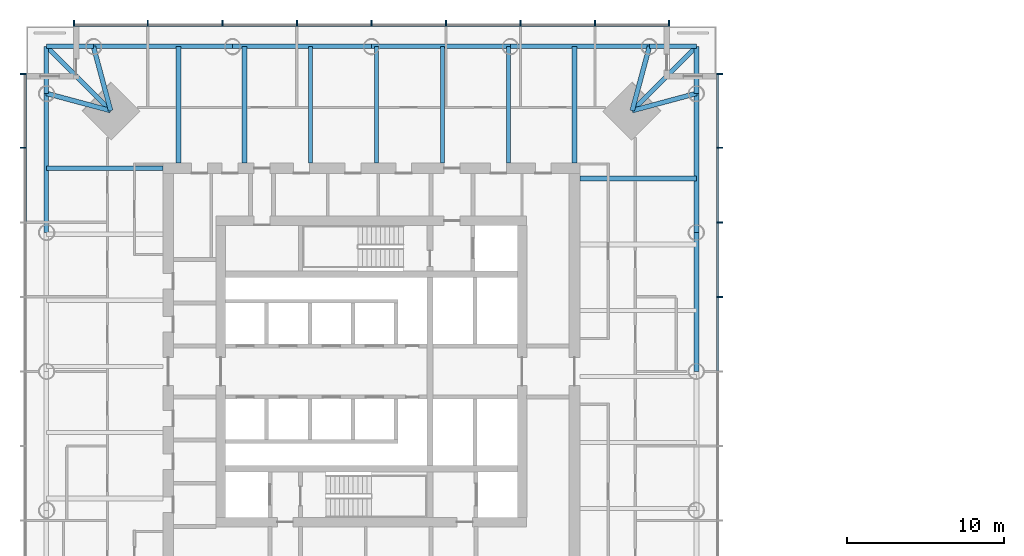
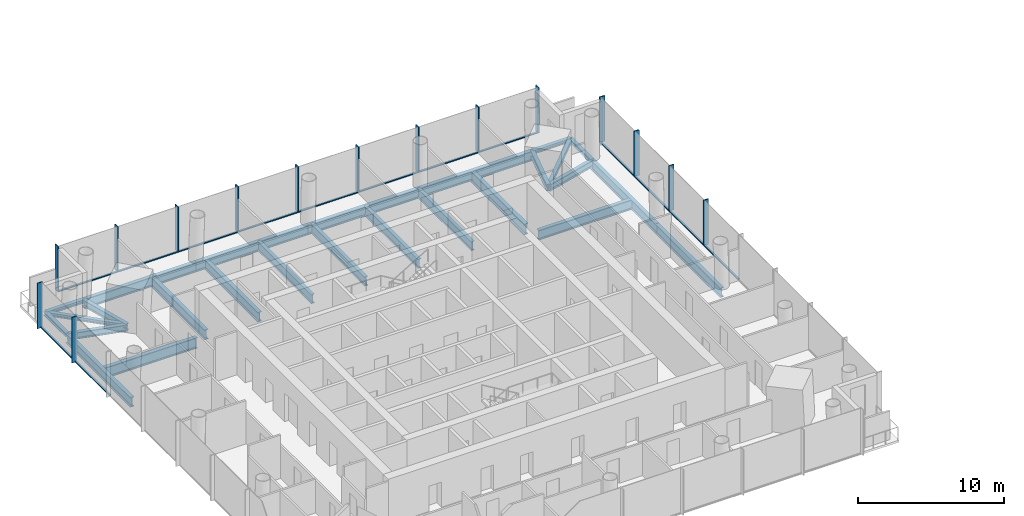
# One storey, part 3 of 18: 29 members, 26 beams, 3 elements without a shape of their own.
"""IFC4 building model written with IfcOpenShell, lengths in metres."""

from ifc_helpers import new_model, si_unit, direction, frame, origin, origin_2d, place, context, subcontext, project, spatial, rectangle, i_section, extrude, material, material_profile, profile_set, type_object, element, aggregate, save


model = new_model("IFC4")

# Units and contexts
model_context = context("Model", 3, precision=1e-05, world=origin(), true_north=direction((0.0, 1.0)))
body_context = subcontext(model_context, "Body", "Model", "MODEL_VIEW")
ifc_project = project(units=[si_unit("LENGTHUNIT", "METRE"), si_unit("AREAUNIT", "SQUARE_METRE"), si_unit("VOLUMEUNIT", "CUBIC_METRE"), si_unit("PLANEANGLEUNIT", "RADIAN"), si_unit("MASSUNIT", "GRAM", prefix="KILO")], contexts=[model_context])

# Site, building, storey
site_placement = place(None, origin())
site = spatial("IfcSite", under=ifc_project, at=site_placement, CompositionType="ELEMENT")
building_placement = place(site_placement, origin())
building = spatial("IfcBuilding", under=site, at=building_placement, Name="Ostroluk Exchange", CompositionType="ELEMENT")
storey_placement = place(building_placement, frame((0.0, 0.0, 123.60009765625)))
storey = spatial("IfcBuildingStorey", under=building, at=storey_placement, Name="L31", CompositionType="ELEMENT", Elevation=123.60009765625)

# Beams
ifc_material_1 = material(Name="Steel S355", Category="steel")
ifc_material_profile_1 = material_profile(ifc_material_1, i_section(OverallWidth=0.300048828125, OverallDepth=0.300048828125, WebThickness=0.010986328125, FlangeThickness=0.01904296875, FilletRadius=0.027099609375, at=origin_2d()), Name="HEB 300")
ifc_profile_set_1 = profile_set([ifc_material_profile_1], Name="Steel S355")
beam_type_1 = type_object("IfcBeamType", Name="Balcony beam HEB 300", PredefinedType="BEAM", material=ifc_profile_set_1)
for number, where, z_axis, x_axis, name in (
    (1, (65.721435546875, 63.721435546875, -0.330078125), (0.0, 1.0, 0.0), (-1.0, 0.0, 0.0), "T1 east balcony beam a"),
    (2, (62.721435546875, 66.721435546875, -0.330078125), (1.0, 0.0, 0.0), (0.0, 1.0, 0.0), "T1 east balcony beam b"),
):
    element("IfcBeam", number, at=place(storey_placement, frame(where, z_axis=z_axis, x_axis=x_axis)), inside=storey, type_object=beam_type_1, Name=name, PredefinedType="BEAM", context=body_context, shape_type="SweptSolid", body=[
        extrude(i_section(OverallWidth=0.300048828125, OverallDepth=0.300048828125, WebThickness=0.010986328125, FlangeThickness=0.01904296875, FilletRadius=0.027099609375, at=origin_2d()), origin(), (0.0, 0.0, 1.0), 3.0),
    ])
beam_1_placement = place(storey_placement, frame((61.621337890625, 62.621337890625, -0.330078125), z_axis=(0.707106781187, 0.707106781187, 0.0), x_axis=(-0.707106781187, 0.707106781187, 0.0)))
element("IfcBeam", 3, at=beam_1_placement, inside=storey, type_object=beam_type_1, Name="T1 east balcony beam c", PredefinedType="BEAM", context=body_context, shape_type="SweptSolid", body=[
    extrude(i_section(OverallWidth=0.300048828125, OverallDepth=0.300048828125, WebThickness=0.010986328125, FlangeThickness=0.01904296875, FilletRadius=0.027099609375, at=origin_2d()), origin(), (0.0, 0.0, 1.0), 5.79833984375),
])
for number, where, z_axis, x_axis, name in (
    (4, (27.278564453125, 66.721435546875, -0.330078125), (-1.0, 0.0, 0.0), (0.0, -1.0, 0.0), "T1 north balcony beam a"),
    (5, (24.278564453125, 63.721435546875, -0.330078125), (0.0, 1.0, 0.0), (-1.0, 0.0, 0.0), "T1 north balcony beam b"),
):
    element("IfcBeam", number, at=place(storey_placement, frame(where, z_axis=z_axis, x_axis=x_axis)), inside=storey, type_object=beam_type_1, Name=name, PredefinedType="BEAM", context=body_context, shape_type="SweptSolid", body=[
        extrude(i_section(OverallWidth=0.300048828125, OverallDepth=0.300048828125, WebThickness=0.010986328125, FlangeThickness=0.01904296875, FilletRadius=0.027099609375, at=origin_2d()), origin(), (0.0, 0.0, 1.0), 3.0),
    ])
beam_2_placement = place(storey_placement, frame((28.378662109375, 62.621337890625, -0.330078125), z_axis=(-0.707106781187, 0.707106781187, 0.0), x_axis=(-0.707106781187, -0.707106781187, 0.0)))
element("IfcBeam", 6, at=beam_2_placement, inside=storey, type_object=beam_type_1, Name="T1 north balcony beam c", PredefinedType="BEAM", context=body_context, shape_type="SweptSolid", body=[
    extrude(i_section(OverallWidth=0.300048828125, OverallDepth=0.300048828125, WebThickness=0.010986328125, FlangeThickness=0.01904296875, FilletRadius=0.027099609375, at=origin_2d()), origin(), (0.0, 0.0, 1.0), 5.79833984375),
])
ifc_material_2 = material(Name="Steel S355", Category="steel")
ifc_material_profile_2 = material_profile(ifc_material_2, i_section(OverallWidth=0.300048828125, OverallDepth=0.550048828125, WebThickness=0.014892578125, FlangeThickness=0.029052734375, FilletRadius=0.027099609375, at=origin_2d()), Name="HEB 550")
ifc_profile_set_2 = profile_set([ifc_material_profile_2], Name="Steel S355")
beam_type_2 = type_object("IfcBeamType", Name="Corner edge beam HEB 550", PredefinedType="SPANDREL", material=ifc_profile_set_2)
for number, where, z_axis, x_axis, name in (
    (7, (61.621337890625, 62.621337890625, -0.455078125), (0.965838624319, 0.259144268261, 0.0), (-0.259144268261, 0.965838624319, 0.0), "T1 east corner edge beam a"),
    (8, (61.621337890625, 62.621337890625, -0.455078125), (0.259144268261, 0.965838624319, 0.0), (-0.965838624319, 0.259144268261, 0.0), "T1 east corner edge beam b"),
    (9, (28.378662109375, 62.621337890625, -0.455078125), (-0.259144268261, 0.965838624319, 0.0), (-0.965838624319, -0.259144268261, 0.0), "T1 north corner edge beam a"),
    (10, (28.378662109375, 62.621337890625, -0.455078125), (-0.965838624319, 0.259144268261, 0.0), (-0.259144268261, -0.965838624319, 0.0), "T1 north corner edge beam b"),
):
    element("IfcBeam", number, at=place(storey_placement, frame(where, z_axis=z_axis, x_axis=x_axis)), inside=storey, type_object=beam_type_2, Name=name, PredefinedType="SPANDREL", context=body_context, shape_type="SweptSolid", body=[
        extrude(i_section(OverallWidth=0.300048828125, OverallDepth=0.550048828125, WebThickness=0.014892578125, FlangeThickness=0.029052734375, FilletRadius=0.027099609375, at=origin_2d()), origin(), (0.0, 0.0, 1.0), 4.2451171875),
    ])
ifc_material_3 = material(Name="Steel S355", Category="steel")
ifc_material_profile_3 = material_profile(ifc_material_3, i_section(OverallWidth=0.302978515625, OverallDepth=0.81396484375, WebThickness=0.02099609375, FlangeThickness=0.0400390625, FilletRadius=0.030029296875, at=origin_2d()), Name="HEM 800")
ifc_profile_set_3 = profile_set([ifc_material_profile_3], Name="Steel S355")
beam_type_3 = type_object("IfcBeamType", Name="Floor beam HEM 800", PredefinedType="BEAM", material=ifc_profile_set_3)
for number, where, z_axis, x_axis, name in (
    (11, (58.300048828125, 58.303466796875, -0.587158203125), (1.0, 0.0, 0.0), (0.0, 1.0, 0.0), "T1 east floor beam 6"),
    (12, (36.9052734375, 59.300048828125, -0.587158203125), (0.0, 1.0, 0.0), (-1.0, 0.0, 0.0), "T1 north floor beam 5"),
    (13, (32.696533203125, 59.300048828125, -0.587158203125), (0.0, 1.0, 0.0), (-1.0, 0.0, 0.0), "T1 north floor beam 6"),
):
    element("IfcBeam", number, at=place(storey_placement, frame(where, z_axis=z_axis, x_axis=x_axis)), inside=storey, type_object=beam_type_3, Name=name, PredefinedType="BEAM", context=body_context, shape_type="SweptSolid", body=[
        extrude(i_section(OverallWidth=0.302978515625, OverallDepth=0.81396484375, WebThickness=0.02099609375, FlangeThickness=0.0400390625, FilletRadius=0.030029296875, at=origin_2d()), origin(), (0.0, 0.0, 1.0), 7.42138671875),
    ])
ifc_material_4 = material(Name="Steel S355", Category="steel")
ifc_material_profile_4 = material_profile(ifc_material_4, i_section(OverallWidth=0.26708984375, OverallDepth=0.761962890625, WebThickness=0.014404296875, FlangeThickness=0.021484375, FilletRadius=0.01708984375, at=origin_2d()), Name="IPE 750x173")
ifc_profile_set_4 = profile_set([ifc_material_profile_4], Name="Steel S355")
beam_type_4 = type_object("IfcBeamType", Name="Floor beam IPE 750x173", PredefinedType="BEAM", material=ifc_profile_set_4)
for number, where, z_axis, x_axis, name in (
    (14, (53.740966796875, 59.300048828125, -0.56103515625), (0.0, 1.0, 0.0), (-1.0, 0.0, 0.0), "T1 north floor beam 1"),
    (15, (49.5322265625, 59.300048828125, -0.56103515625), (0.0, 1.0, 0.0), (-1.0, 0.0, 0.0), "T1 north floor beam 2"),
    (16, (45.3232421875, 59.300048828125, -0.56103515625), (0.0, 1.0, 0.0), (-1.0, 0.0, 0.0), "T1 north floor beam 3"),
    (17, (41.1142578125, 59.300048828125, -0.56103515625), (0.0, 1.0, 0.0), (-1.0, 0.0, 0.0), "T1 north floor beam 4"),
):
    element("IfcBeam", number, at=place(storey_placement, frame(where, z_axis=z_axis, x_axis=x_axis)), inside=storey, type_object=beam_type_4, Name=name, PredefinedType="BEAM", context=body_context, shape_type="SweptSolid", body=[
        extrude(i_section(OverallWidth=0.26708984375, OverallDepth=0.761962890625, WebThickness=0.014404296875, FlangeThickness=0.021484375, FilletRadius=0.01708984375, at=origin_2d()), origin(), (0.0, 0.0, 1.0), 7.42138671875),
    ])
ifc_material_5 = material(Name="Steel S355", Category="steel")
ifc_material_profile_5 = material_profile(ifc_material_5, i_section(OverallWidth=0.300048828125, OverallDepth=0.89990234375, WebThickness=0.0185546875, FlangeThickness=0.034912109375, FilletRadius=0.030029296875, at=origin_2d()), Name="HEB 900")
ifc_profile_set_5 = profile_set([ifc_material_profile_5], Name="Steel S355")
beam_type_5 = type_object("IfcBeamType", Name="Girder HEB 900", PredefinedType="BEAM", material=ifc_profile_set_5)
for number, where, z_axis, x_axis, name in (
    (18, (57.949951171875, 59.300048828125, -0.630126953125), (0.0, 1.0, 0.0), (-1.0, 0.0, 0.0), "T1 east girder"),
    (19, (31.699951171875, 58.949951171875, -0.630126953125), (-1.0, 0.0, 0.0), (0.0, -1.0, 0.0), "T1 north girder"),
):
    element("IfcBeam", number, at=place(storey_placement, frame(where, z_axis=z_axis, x_axis=x_axis)), inside=storey, type_object=beam_type_5, Name=name, PredefinedType="BEAM", context=body_context, shape_type="SweptSolid", body=[
        extrude(i_section(OverallWidth=0.300048828125, OverallDepth=0.89990234375, WebThickness=0.0185546875, FlangeThickness=0.034912109375, FilletRadius=0.030029296875, at=origin_2d()), origin(), (0.0, 0.0, 1.0), 7.42138671875),
    ])
ifc_material_6 = material(Name="Steel S355", Category="steel")
ifc_material_profile_6 = material_profile(ifc_material_6, i_section(OverallWidth=0.300048828125, OverallDepth=0.800048828125, WebThickness=0.017578125, FlangeThickness=0.032958984375, FilletRadius=0.030029296875, at=origin_2d()), Name="HEB 800")
ifc_profile_set_6 = profile_set([ifc_material_profile_6], Name="Steel S355")
beam_type_6 = type_object("IfcBeamType", Name="Moment-connected edge beam HEB 800", PredefinedType="SPANDREL", material=ifc_profile_set_6)
beam_3_placement = place(storey_placement, frame((65.721435546875, 46.0, -0.580078125), z_axis=(0.0, 1.0, 0.0), x_axis=(-1.0, 0.0, 0.0)))
element("IfcBeam", 20, at=beam_3_placement, inside=storey, type_object=beam_type_6, Name="T1 east edge beam 3", PredefinedType="SPANDREL", context=body_context, shape_type="SweptSolid", body=[
    extrude(i_section(OverallWidth=0.300048828125, OverallDepth=0.800048828125, WebThickness=0.017578125, FlangeThickness=0.032958984375, FilletRadius=0.030029296875, at=origin_2d()), origin(), (0.0, 0.0, 1.0), 8.860595703125),
])
for number, where, z_axis, x_axis, name in (
    (21, (65.721435546875, 54.860595703125, -0.580078125), (0.0, 1.0, 0.0), (-1.0, 0.0, 0.0), "T1 east edge beam 4"),
    (22, (62.721435546875, 66.721435546875, -0.580078125), (-1.0, 0.0, 0.0), (0.0, -1.0, 0.0), "T1 north edge beam 1"),
):
    element("IfcBeam", number, at=place(storey_placement, frame(where, z_axis=z_axis, x_axis=x_axis)), inside=storey, type_object=beam_type_6, Name=name, PredefinedType="SPANDREL", context=body_context, shape_type="SweptSolid", body=[
        extrude(i_section(OverallWidth=0.300048828125, OverallDepth=0.800048828125, WebThickness=0.017578125, FlangeThickness=0.032958984375, FilletRadius=0.030029296875, at=origin_2d()), origin(), (0.0, 0.0, 1.0), 8.86083984375),
    ])
for number, where, z_axis, x_axis, name in (
    (23, (53.860595703125, 66.721435546875, -0.580078125), (-1.0, 0.0, 0.0), (0.0, -1.0, 0.0), "T1 north edge beam 2"),
    (24, (45.0, 66.721435546875, -0.580078125), (-1.0, 0.0, 0.0), (0.0, -1.0, 0.0), "T1 north edge beam 3"),
):
    element("IfcBeam", number, at=place(storey_placement, frame(where, z_axis=z_axis, x_axis=x_axis)), inside=storey, type_object=beam_type_6, Name=name, PredefinedType="SPANDREL", context=body_context, shape_type="SweptSolid", body=[
        extrude(i_section(OverallWidth=0.300048828125, OverallDepth=0.800048828125, WebThickness=0.017578125, FlangeThickness=0.032958984375, FilletRadius=0.030029296875, at=origin_2d()), origin(), (0.0, 0.0, 1.0), 8.860595703125),
    ])
for number, where, z_axis, x_axis, name in (
    (25, (36.139404296875, 66.721435546875, -0.580078125), (-1.0, 0.0, 0.0), (0.0, -1.0, 0.0), "T1 north edge beam 4"),
    (26, (24.278564453125, 63.721435546875, -0.580078125), (0.0, -1.0, 0.0), (1.0, 0.0, 0.0), "T1 west edge beam 1"),
):
    element("IfcBeam", number, at=place(storey_placement, frame(where, z_axis=z_axis, x_axis=x_axis)), inside=storey, type_object=beam_type_6, Name=name, PredefinedType="SPANDREL", context=body_context, shape_type="SweptSolid", body=[
        extrude(i_section(OverallWidth=0.300048828125, OverallDepth=0.800048828125, WebThickness=0.017578125, FlangeThickness=0.032958984375, FilletRadius=0.030029296875, at=origin_2d()), origin(), (0.0, 0.0, 1.0), 8.86083984375),
    ])

# Curtain wall, members
ifc_material_7 = material(Name="Laminated clear glass", Category="glass")
curtain_wall_type = type_object("IfcCurtainWallType", Name="Office tower facade", PredefinedType="USERDEFINED", material=ifc_material_7)
curtain_wall_1_placement = place(storey_placement, origin())
curtain_wall_1 = element("IfcCurtainWall", 27, at=curtain_wall_1_placement, inside=storey, type_object=curtain_wall_type, Name="Office tower east facade L31", ObjectType="UNITISED CURTAIN WALL", PredefinedType="USERDEFINED")
ifc_material_8 = material(Name="Aluminium mullion", Category="aluminium")
ifc_material_profile_7 = material_profile(ifc_material_8, rectangle(XDim=0.14990234375, YDim=0.080078125, at=origin_2d()), Name="Sill transom 80 x 150")
ifc_profile_set_7 = profile_set([ifc_material_profile_7], Name="Aluminium mullion")
member_type_1 = type_object("IfcMemberType", Name="Sill transom 80 x 150", PredefinedType="USERDEFINED", material=ifc_profile_set_7)
member_1_placement = place(storey_placement, frame((67.074951171875, 46.0400390625, 0.039794921875), z_axis=(0.0, 1.0, 0.0), x_axis=(-1.0, 0.0, 0.0)))
member_1 = element("IfcMember", 28, at=member_1_placement, type_object=member_type_1, Name="CW-O1 transom 5.1", ObjectType="TRANSOM", PredefinedType="USERDEFINED", context=body_context, shape_type="SweptSolid", body=[
    extrude(rectangle(XDim=0.14990234375, YDim=0.080078125, at=origin_2d()), origin(), (0.0, 0.0, 1.0), 4.669921875),
])
member_2_placement = place(storey_placement, frame((67.074951171875, 50.7900390625, 0.039794921875), z_axis=(0.0, 1.0, 0.0), x_axis=(-1.0, 0.0, 0.0)))
member_2 = element("IfcMember", 29, at=member_2_placement, type_object=member_type_1, Name="CW-O1 transom 6.1", ObjectType="TRANSOM", PredefinedType="USERDEFINED", context=body_context, shape_type="SweptSolid", body=[
    extrude(rectangle(XDim=0.14990234375, YDim=0.080078125, at=origin_2d()), origin(), (0.0, 0.0, 1.0), 4.669921875),
])
member_3_placement = place(storey_placement, frame((67.074951171875, 55.5400390625, 0.039794921875), z_axis=(0.0, 1.0, 0.0), x_axis=(-1.0, 0.0, 0.0)))
member_3 = element("IfcMember", 30, at=member_3_placement, type_object=member_type_1, Name="CW-O1 transom 7.1", ObjectType="TRANSOM", PredefinedType="USERDEFINED", context=body_context, shape_type="SweptSolid", body=[
    extrude(rectangle(XDim=0.14990234375, YDim=0.080078125, at=origin_2d()), origin(), (0.0, 0.0, 1.0), 4.669921875),
])
member_4_placement = place(storey_placement, frame((67.074951171875, 60.2900390625, 0.039794921875), z_axis=(0.0, 1.0, 0.0), x_axis=(-1.0, 0.0, 0.0)))
member_4 = element("IfcMember", 31, at=member_4_placement, type_object=member_type_1, Name="CW-O1 transom 8.1", ObjectType="TRANSOM", PredefinedType="USERDEFINED", context=body_context, shape_type="SweptSolid", body=[
    extrude(rectangle(XDim=0.14990234375, YDim=0.080078125, at=origin_2d()), origin(), (0.0, 0.0, 1.0), 4.6298828125),
])

curtain_wall_2_placement = place(storey_placement, origin())
curtain_wall_2 = element("IfcCurtainWall", 32, at=curtain_wall_2_placement, inside=storey, type_object=curtain_wall_type, Name="Office tower north facade L31", ObjectType="UNITISED CURTAIN WALL", PredefinedType="USERDEFINED")
member_5_placement = place(storey_placement, frame((63.919921875, 68.074951171875, 0.039794921875), z_axis=(-1.0, 0.0, 0.0), x_axis=(0.0, -1.0, 0.0)))
member_5 = element("IfcMember", 33, at=member_5_placement, type_object=member_type_1, Name="CW-O1 transom 1.1", ObjectType="TRANSOM", PredefinedType="USERDEFINED", context=body_context, shape_type="SweptSolid", body=[
    extrude(rectangle(XDim=0.14990234375, YDim=0.080078125, at=origin_2d()), origin(), (0.0, 0.0, 1.0), 4.6298828125),
])
member_6_placement = place(storey_placement, frame((59.2099609375, 68.074951171875, 0.039794921875), z_axis=(-1.0, 0.0, 0.0), x_axis=(0.0, -1.0, 0.0)))
member_6 = element("IfcMember", 34, at=member_6_placement, type_object=member_type_1, Name="CW-O1 transom 2.1", ObjectType="TRANSOM", PredefinedType="USERDEFINED", context=body_context, shape_type="SweptSolid", body=[
    extrude(rectangle(XDim=0.14990234375, YDim=0.080078125, at=origin_2d()), origin(), (0.0, 0.0, 1.0), 4.669921875),
])
member_7_placement = place(storey_placement, frame((54.4599609375, 68.074951171875, 0.039794921875), z_axis=(-1.0, 0.0, 0.0), x_axis=(0.0, -1.0, 0.0)))
member_7 = element("IfcMember", 35, at=member_7_placement, type_object=member_type_1, Name="CW-O1 transom 3.1", ObjectType="TRANSOM", PredefinedType="USERDEFINED", context=body_context, shape_type="SweptSolid", body=[
    extrude(rectangle(XDim=0.14990234375, YDim=0.080078125, at=origin_2d()), origin(), (0.0, 0.0, 1.0), 4.669921875),
])
member_8_placement = place(storey_placement, frame((49.7099609375, 68.074951171875, 0.039794921875), z_axis=(-1.0, 0.0, 0.0), x_axis=(0.0, -1.0, 0.0)))
member_8 = element("IfcMember", 36, at=member_8_placement, type_object=member_type_1, Name="CW-O1 transom 4.1", ObjectType="TRANSOM", PredefinedType="USERDEFINED", context=body_context, shape_type="SweptSolid", body=[
    extrude(rectangle(XDim=0.14990234375, YDim=0.080078125, at=origin_2d()), origin(), (0.0, 0.0, 1.0), 4.669921875),
])
member_9_placement = place(storey_placement, frame((44.9599609375, 68.074951171875, 0.039794921875), z_axis=(-1.0, 0.0, 0.0), x_axis=(0.0, -1.0, 0.0)))
member_9 = element("IfcMember", 37, at=member_9_placement, type_object=member_type_1, Name="CW-O1 transom 5.1", ObjectType="TRANSOM", PredefinedType="USERDEFINED", context=body_context, shape_type="SweptSolid", body=[
    extrude(rectangle(XDim=0.14990234375, YDim=0.080078125, at=origin_2d()), origin(), (0.0, 0.0, 1.0), 4.669921875),
])
member_10_placement = place(storey_placement, frame((40.2099609375, 68.074951171875, 0.039794921875), z_axis=(-1.0, 0.0, 0.0), x_axis=(0.0, -1.0, 0.0)))
member_10 = element("IfcMember", 38, at=member_10_placement, type_object=member_type_1, Name="CW-O1 transom 6.1", ObjectType="TRANSOM", PredefinedType="USERDEFINED", context=body_context, shape_type="SweptSolid", body=[
    extrude(rectangle(XDim=0.14990234375, YDim=0.080078125, at=origin_2d()), origin(), (0.0, 0.0, 1.0), 4.669921875),
])
member_11_placement = place(storey_placement, frame((35.4599609375, 68.074951171875, 0.039794921875), z_axis=(-1.0, 0.0, 0.0), x_axis=(0.0, -1.0, 0.0)))
member_11 = element("IfcMember", 39, at=member_11_placement, type_object=member_type_1, Name="CW-O1 transom 7.1", ObjectType="TRANSOM", PredefinedType="USERDEFINED", context=body_context, shape_type="SweptSolid", body=[
    extrude(rectangle(XDim=0.14990234375, YDim=0.080078125, at=origin_2d()), origin(), (0.0, 0.0, 1.0), 4.669921875),
])
member_12_placement = place(storey_placement, frame((30.7099609375, 68.074951171875, 0.039794921875), z_axis=(-1.0, 0.0, 0.0), x_axis=(0.0, -1.0, 0.0)))
member_12 = element("IfcMember", 40, at=member_12_placement, type_object=member_type_1, Name="CW-O1 transom 8.1", ObjectType="TRANSOM", PredefinedType="USERDEFINED", context=body_context, shape_type="SweptSolid", body=[
    extrude(rectangle(XDim=0.14990234375, YDim=0.080078125, at=origin_2d()), origin(), (0.0, 0.0, 1.0), 4.6298828125),
])

curtain_wall_3_placement = place(storey_placement, origin())
curtain_wall_3 = element("IfcCurtainWall", 41, at=curtain_wall_3_placement, inside=storey, type_object=curtain_wall_type, Name="Office tower west facade L31", ObjectType="UNITISED CURTAIN WALL", PredefinedType="USERDEFINED")
member_13_placement = place(storey_placement, frame((22.925048828125, 64.919921875, 0.039794921875), z_axis=(0.0, -1.0, 0.0), x_axis=(1.0, 0.0, 0.0)))
member_13 = element("IfcMember", 42, at=member_13_placement, type_object=member_type_1, Name="CW-O1 transom 1.1", ObjectType="TRANSOM", PredefinedType="USERDEFINED", context=body_context, shape_type="SweptSolid", body=[
    extrude(rectangle(XDim=0.14990234375, YDim=0.080078125, at=origin_2d()), origin(), (0.0, 0.0, 1.0), 4.6298828125),
])
member_14_placement = place(storey_placement, frame((22.925048828125, 60.2099609375, 0.039794921875), z_axis=(0.0, -1.0, 0.0), x_axis=(1.0, 0.0, 0.0)))
member_14 = element("IfcMember", 43, at=member_14_placement, type_object=member_type_1, Name="CW-O1 transom 2.1", ObjectType="TRANSOM", PredefinedType="USERDEFINED", context=body_context, shape_type="SweptSolid", body=[
    extrude(rectangle(XDim=0.14990234375, YDim=0.080078125, at=origin_2d()), origin(), (0.0, 0.0, 1.0), 4.669921875),
])

# Member
ifc_material_9 = material(Name="Aluminium mullion with limestone facing", Category="masonry")
ifc_material_profile_8 = material_profile(ifc_material_9, rectangle(XDim=0.39990234375, YDim=0.080078125, at=origin_2d()), Name="Tracery mullion 80 x 400")
ifc_profile_set_8 = profile_set([ifc_material_profile_8], Name="Aluminium mullion with limestone facing")
member_type_2 = type_object("IfcMemberType", Name="Tracery mullion 80 x 400", PredefinedType="MULLION", material=ifc_profile_set_8)
member_15_placement = place(storey_placement, frame((67.199951171875, 50.75, 0.0), z_axis=(0.0, 0.0, 1.0), x_axis=(-1.0, 0.0, 0.0)))
member_15 = element("IfcMember", 44, at=member_15_placement, type_object=member_type_2, Name="CW-O1 mullion 6", PredefinedType="MULLION", context=body_context, shape_type="SweptSolid", body=[
    extrude(rectangle(XDim=0.39990234375, YDim=0.080078125, at=origin_2d()), origin(), (0.0, 0.0, 1.0), 3.7998046875),
])

member_16_placement = place(storey_placement, frame((67.199951171875, 55.5, 0.0), z_axis=(0.0, 0.0, 1.0), x_axis=(-1.0, 0.0, 0.0)))
member_16 = element("IfcMember", 45, at=member_16_placement, type_object=member_type_2, Name="CW-O1 mullion 7", PredefinedType="MULLION", context=body_context, shape_type="SweptSolid", body=[
    extrude(rectangle(XDim=0.39990234375, YDim=0.080078125, at=origin_2d()), origin(), (0.0, 0.0, 1.0), 3.7998046875),
])

member_17_placement = place(storey_placement, frame((67.199951171875, 60.25, 0.0), z_axis=(0.0, 0.0, 1.0), x_axis=(-1.0, 0.0, 0.0)))
member_17 = element("IfcMember", 46, at=member_17_placement, type_object=member_type_2, Name="CW-O1 mullion 8", PredefinedType="MULLION", context=body_context, shape_type="SweptSolid", body=[
    extrude(rectangle(XDim=0.39990234375, YDim=0.080078125, at=origin_2d()), origin(), (0.0, 0.0, 1.0), 3.7998046875),
])

member_18_placement = place(storey_placement, frame((67.199951171875, 64.9599609375, 0.0), z_axis=(0.0, 0.0, 1.0), x_axis=(-1.0, 0.0, 0.0)))
member_18 = element("IfcMember", 47, at=member_18_placement, type_object=member_type_2, Name="CW-O1 mullion 9", PredefinedType="MULLION", context=body_context, shape_type="SweptSolid", body=[
    extrude(rectangle(XDim=0.39990234375, YDim=0.080078125, at=origin_2d()), origin(), (0.0, 0.0, 1.0), 3.7998046875),
])

aggregate(curtain_wall_1, [member_15, member_16, member_17, member_18, member_1, member_2, member_3, member_4])

member_19_placement = place(storey_placement, frame((63.9599609375, 68.199951171875, 0.0), z_axis=(0.0, 0.0, 1.0), x_axis=(0.0, -1.0, 0.0)))
member_19 = element("IfcMember", 48, at=member_19_placement, type_object=member_type_2, Name="CW-O1 mullion 1", PredefinedType="MULLION", context=body_context, shape_type="SweptSolid", body=[
    extrude(rectangle(XDim=0.39990234375, YDim=0.080078125, at=origin_2d()), origin(), (0.0, 0.0, 1.0), 3.7998046875),
])

member_20_placement = place(storey_placement, frame((59.25, 68.199951171875, 0.0), z_axis=(0.0, 0.0, 1.0), x_axis=(0.0, -1.0, 0.0)))
member_20 = element("IfcMember", 49, at=member_20_placement, type_object=member_type_2, Name="CW-O1 mullion 2", PredefinedType="MULLION", context=body_context, shape_type="SweptSolid", body=[
    extrude(rectangle(XDim=0.39990234375, YDim=0.080078125, at=origin_2d()), origin(), (0.0, 0.0, 1.0), 3.7998046875),
])

member_21_placement = place(storey_placement, frame((54.5, 68.199951171875, 0.0), z_axis=(0.0, 0.0, 1.0), x_axis=(0.0, -1.0, 0.0)))
member_21 = element("IfcMember", 50, at=member_21_placement, type_object=member_type_2, Name="CW-O1 mullion 3", PredefinedType="MULLION", context=body_context, shape_type="SweptSolid", body=[
    extrude(rectangle(XDim=0.39990234375, YDim=0.080078125, at=origin_2d()), origin(), (0.0, 0.0, 1.0), 3.7998046875),
])

member_22_placement = place(storey_placement, frame((49.75, 68.199951171875, 0.0), z_axis=(0.0, 0.0, 1.0), x_axis=(0.0, -1.0, 0.0)))
member_22 = element("IfcMember", 51, at=member_22_placement, type_object=member_type_2, Name="CW-O1 mullion 4", PredefinedType="MULLION", context=body_context, shape_type="SweptSolid", body=[
    extrude(rectangle(XDim=0.39990234375, YDim=0.080078125, at=origin_2d()), origin(), (0.0, 0.0, 1.0), 3.7998046875),
])

member_23_placement = place(storey_placement, frame((45.0, 68.199951171875, 0.0), z_axis=(0.0, 0.0, 1.0), x_axis=(0.0, -1.0, 0.0)))
member_23 = element("IfcMember", 52, at=member_23_placement, type_object=member_type_2, Name="CW-O1 mullion 5", PredefinedType="MULLION", context=body_context, shape_type="SweptSolid", body=[
    extrude(rectangle(XDim=0.39990234375, YDim=0.080078125, at=origin_2d()), origin(), (0.0, 0.0, 1.0), 3.7998046875),
])

member_24_placement = place(storey_placement, frame((40.25, 68.199951171875, 0.0), z_axis=(0.0, 0.0, 1.0), x_axis=(0.0, -1.0, 0.0)))
member_24 = element("IfcMember", 53, at=member_24_placement, type_object=member_type_2, Name="CW-O1 mullion 6", PredefinedType="MULLION", context=body_context, shape_type="SweptSolid", body=[
    extrude(rectangle(XDim=0.39990234375, YDim=0.080078125, at=origin_2d()), origin(), (0.0, 0.0, 1.0), 3.7998046875),
])

member_25_placement = place(storey_placement, frame((35.5, 68.199951171875, 0.0), z_axis=(0.0, 0.0, 1.0), x_axis=(0.0, -1.0, 0.0)))
member_25 = element("IfcMember", 54, at=member_25_placement, type_object=member_type_2, Name="CW-O1 mullion 7", PredefinedType="MULLION", context=body_context, shape_type="SweptSolid", body=[
    extrude(rectangle(XDim=0.39990234375, YDim=0.080078125, at=origin_2d()), origin(), (0.0, 0.0, 1.0), 3.7998046875),
])

member_26_placement = place(storey_placement, frame((30.75, 68.199951171875, 0.0), z_axis=(0.0, 0.0, 1.0), x_axis=(0.0, -1.0, 0.0)))
member_26 = element("IfcMember", 55, at=member_26_placement, type_object=member_type_2, Name="CW-O1 mullion 8", PredefinedType="MULLION", context=body_context, shape_type="SweptSolid", body=[
    extrude(rectangle(XDim=0.39990234375, YDim=0.080078125, at=origin_2d()), origin(), (0.0, 0.0, 1.0), 3.7998046875),
])

member_27_placement = place(storey_placement, frame((26.0400390625, 68.199951171875, 0.0), z_axis=(0.0, 0.0, 1.0), x_axis=(0.0, -1.0, 0.0)))
member_27 = element("IfcMember", 56, at=member_27_placement, type_object=member_type_2, Name="CW-O1 mullion 9", PredefinedType="MULLION", context=body_context, shape_type="SweptSolid", body=[
    extrude(rectangle(XDim=0.39990234375, YDim=0.080078125, at=origin_2d()), origin(), (0.0, 0.0, 1.0), 3.7998046875),
])

aggregate(curtain_wall_2, [member_19, member_20, member_21, member_22, member_23, member_24, member_25, member_26, member_27, member_5, member_6, member_7, member_8, member_9, member_10, member_11, member_12])

member_28_placement = place(storey_placement, frame((22.800048828125, 64.9599609375, 0.0), z_axis=(0.0, 0.0, 1.0), x_axis=(1.0, 0.0, 0.0)))
member_28 = element("IfcMember", 57, at=member_28_placement, type_object=member_type_2, Name="CW-O1 mullion 1", PredefinedType="MULLION", context=body_context, shape_type="SweptSolid", body=[
    extrude(rectangle(XDim=0.39990234375, YDim=0.080078125, at=origin_2d()), origin(), (0.0, 0.0, 1.0), 3.7998046875),
])

member_29_placement = place(storey_placement, frame((22.800048828125, 60.25, 0.0), z_axis=(0.0, 0.0, 1.0), x_axis=(1.0, 0.0, 0.0)))
member_29 = element("IfcMember", 58, at=member_29_placement, type_object=member_type_2, Name="CW-O1 mullion 2", PredefinedType="MULLION", context=body_context, shape_type="SweptSolid", body=[
    extrude(rectangle(XDim=0.39990234375, YDim=0.080078125, at=origin_2d()), origin(), (0.0, 0.0, 1.0), 3.7998046875),
])

aggregate(curtain_wall_3, [member_28, member_29, member_13, member_14])

save(model, "model.ifc")
